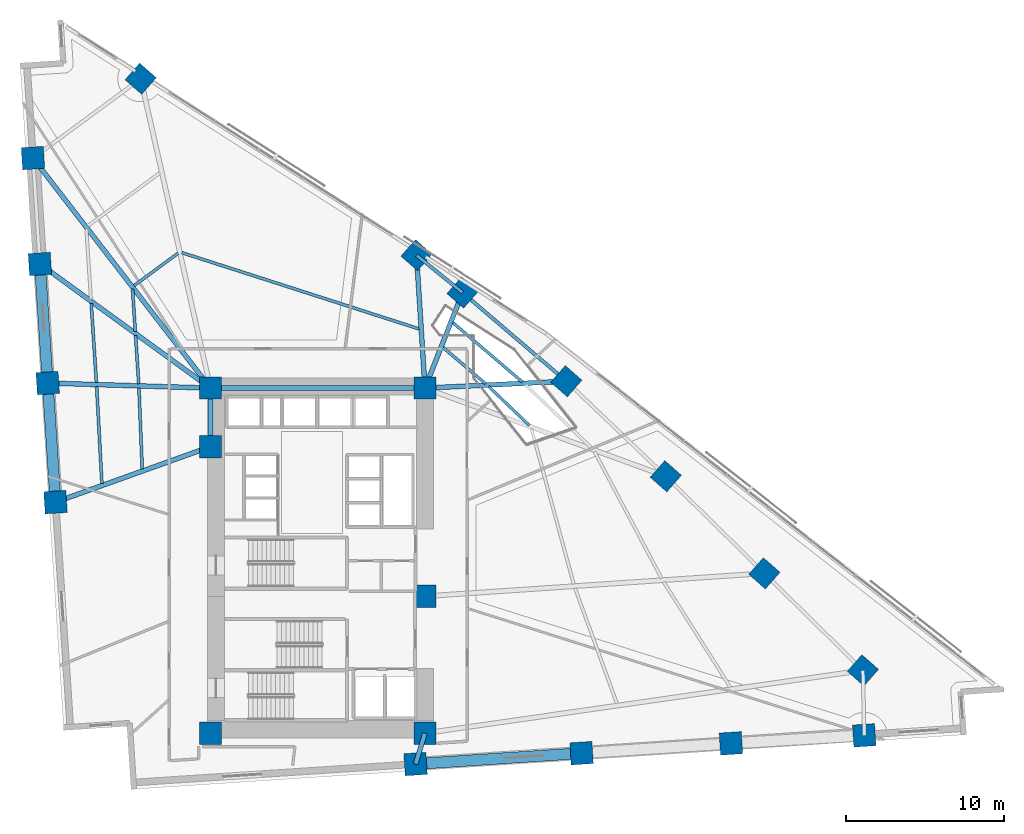
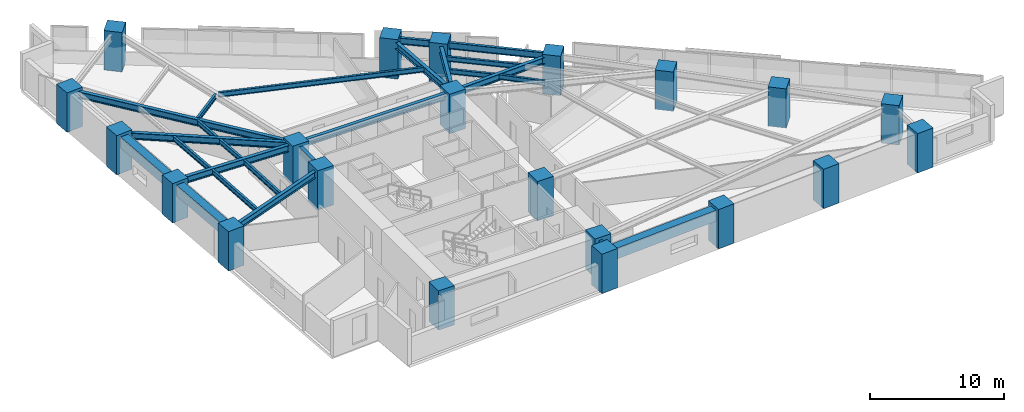
# One storey, part 1 of 16: 25 beams, 21 columns.
"""IFC4 building model written with IfcOpenShell, lengths in metres."""

from ifc_helpers import new_model, si_unit, direction, frame, origin, origin_2d, place, context, subcontext, project, spatial, rectangle, i_section, extrude, material, material_profile, profile_set, type_object, element, save


model = new_model("IFC4")

# Units and contexts
model_context = context("Model", 3, precision=1e-05, world=origin(), true_north=direction((0.0, 1.0)))
body_context = subcontext(model_context, "Body", "Model", "MODEL_VIEW")
ifc_project = project(units=[si_unit("LENGTHUNIT", "METRE"), si_unit("AREAUNIT", "SQUARE_METRE"), si_unit("VOLUMEUNIT", "CUBIC_METRE"), si_unit("PLANEANGLEUNIT", "RADIAN"), si_unit("MASSUNIT", "GRAM", prefix="KILO")], contexts=[model_context])

# Site, building, storey
site_placement = place(None, origin())
site = spatial("IfcSite", under=ifc_project, at=site_placement, CompositionType="ELEMENT")
building_placement = place(site_placement, origin())
building = spatial("IfcBuilding", under=site, at=building_placement, Name="Narakoshi Arena Tower", CompositionType="ELEMENT")
storey_placement = place(building_placement, frame((0.0, 0.0, 77.699951171875)))
storey = spatial("IfcBuildingStorey", under=building, at=storey_placement, Name="L20", CompositionType="ELEMENT", Elevation=77.699951171875)

# Columns
ifc_material_1 = material(Name="Concrete C60/75", Category="concrete")
ifc_material_profile_1 = material_profile(ifc_material_1, rectangle(XDim=1.39990234375, YDim=1.39990234375, at=origin_2d()), Name="RC1400x1400")
ifc_profile_set_1 = profile_set([ifc_material_profile_1], Name="Concrete C60/75")
column_type = type_object("IfcColumnType", Name="COL-RC1400", PredefinedType="COLUMN", material=ifc_profile_set_1)
for number, where, z_axis, x_axis, name in (
    (1, (72.0, 34.699951171875, 0.0), (0.0, 0.0, 1.0), (1.0, 0.0, 0.0), "L20 Core Structural Column CC1"),
    (2, (85.550048828125, 34.699951171875, 0.0), (0.0, 0.0, 1.0), (1.0, 0.0, 0.0), "L20 Core Structural Column CC2"),
    (3, (85.550048828125, 43.35009765625, 0.0), (0.0, 0.0, 1.0), (1.0, 0.0, 0.0), "L20 Core Structural Column CC3"),
    (4, (72.0, 52.800048828125, 0.0), (0.0, 0.0, 1.0), (1.0, 0.0, 0.0), "L20 Core Structural Column CC4"),
    (5, (72.0, 56.5, 0.0), (0.0, 0.0, 1.0), (1.0, 0.0, 0.0), "L20 Core Structural Column CC5"),
    (6, (85.550048828125, 56.5, 0.0), (0.0, 0.0, 1.0), (1.0, 0.0, 0.0), "L20 Core Structural Column CC6"),
    (7, (84.95703125, 32.7509765625, 0.0), (0.0, 0.0, 1.0), (0.997858923239, 0.06540312923, 0.0), "L20 Tower Perimeter Column TC01"),
    (8, (95.44189453125, 33.43798828125, 0.0), (0.0, 0.0, 1.0), (0.997858923239, 0.06540312923, 0.0), "L20 Tower Perimeter Column TC02"),
    (9, (104.8779296875, 34.056640625, 0.0), (0.0, 0.0, 1.0), (0.997858923239, 0.06540312923, 0.0), "L20 Tower Perimeter Column TC03"),
    (10, (113.299560546875, 34.5634765625, 0.0), (0.0, 0.0, 1.0), (0.997858923239, 0.06540312923, 0.0), "L20 Tower Perimeter Column TC04"),
    (11, (113.21630859375, 38.669189453125, 0.0), (0.0, 0.0, 1.0), (0.6593458151, 0.751839807479, 0.0), "L20 Tower Perimeter Column TC05"),
    (12, (106.989990234375, 44.800537109375, 0.0), (0.0, 0.0, 1.0), (0.6593458151, 0.751839807479, 0.0), "L20 Tower Perimeter Column TC06"),
    (13, (100.76318359375, 50.931640625, 0.0), (0.0, 0.0, 1.0), (0.6593458151, 0.751839807479, 0.0), "L20 Tower Perimeter Column TC07"),
    (14, (94.47900390625, 56.934814453125, 0.0), (0.0, 0.0, 1.0), (0.6593458151, 0.751839807479, 0.0), "L20 Tower Perimeter Column TC08"),
    (15, (87.922607421875, 62.534423828125, 0.0), (0.0, 0.0, 1.0), (0.6593458151, 0.751839807479, 0.0), "L20 Tower Perimeter Column TC09"),
    (16, (85.0146484375, 64.89794921875, 0.0), (0.0, 0.0, 1.0), (0.6593458151, 0.751839807479, 0.0), "L20 Tower Perimeter Column TC10"),
    (17, (67.58984375, 76.04345703125, 0.0), (0.0, 0.0, 1.0), (0.6593458151, 0.751839807479, 0.0), "L20 Tower Perimeter Column TC11"),
    (18, (60.785400390625, 71.031005859375, 0.0), (0.0, 0.0, 1.0), (-0.06540312923, 0.997858923239, 0.0), "L20 Tower Perimeter Column TC13"),
    (19, (61.223876953125, 64.343017578125, 0.0), (0.0, 0.0, 1.0), (-0.06540312923, 0.997858923239, 0.0), "L20 Tower Perimeter Column TC14"),
    (20, (61.716796875, 56.819091796875, 0.0), (0.0, 0.0, 1.0), (-0.06540312923, 0.997858923239, 0.0), "L20 Tower Perimeter Column TC15"),
    (21, (62.210205078125, 49.294921875, 0.0), (0.0, 0.0, 1.0), (-0.06540312923, 0.997858923239, 0.0), "L20 Tower Perimeter Column TC16"),
):
    element("IfcColumn", number, at=place(storey_placement, frame(where, z_axis=z_axis, x_axis=x_axis)), inside=storey, type_object=column_type, Name=name, PredefinedType="COLUMN", context=body_context, shape_type="SweptSolid", body=[
        extrude(rectangle(XDim=1.39990234375, YDim=1.39990234375, at=origin_2d()), origin(), (0.0, 0.0, 1.0), 3.60009765625),
    ])

# Beams
ifc_material_profile_2 = material_profile(ifc_material_1, rectangle(XDim=0.699951171875, YDim=1.0, at=origin_2d()), Name="RCB700x1000")
ifc_profile_set_2 = profile_set([ifc_material_profile_2], Name="Concrete C60/75")
beam_type_1 = type_object("IfcBeamType", Name="BM-CPL-1000", PredefinedType="BEAM", material=ifc_profile_set_2)
beam_1_placement = place(storey_placement, frame((84.95703125, 32.7509765625, 2.840087890625), z_axis=(0.997860180992, 0.065383936788, 0.0), x_axis=(-0.065383936788, 0.997860180992, 0.0)))
element("IfcBeam", 22, at=beam_1_placement, inside=storey, type_object=beam_type_1, Name="L20 Perimeter Edge Girder 01", PredefinedType="BEAM", context=body_context, shape_type="SweptSolid", body=[
    extrude(rectangle(XDim=0.699951171875, YDim=1.0, at=origin_2d()), origin(), (0.0, 0.0, 1.0), 10.50732421875),
])
beam_2_placement = place(storey_placement, frame((61.223876953125, 64.343017578125, 2.840087890625), z_axis=(0.065373518191, -0.997860863607, 0.0), x_axis=(0.997860863607, 0.065373518191, 0.0)))
element("IfcBeam", 23, at=beam_2_placement, inside=storey, type_object=beam_type_1, Name="L20 Perimeter Edge Girder 13", PredefinedType="BEAM", context=body_context, shape_type="SweptSolid", body=[
    extrude(rectangle(XDim=0.699951171875, YDim=1.0, at=origin_2d()), origin(), (0.0, 0.0, 1.0), 7.5400390625),
])
beam_3_placement = place(storey_placement, frame((61.716796875, 56.819091796875, 2.840087890625), z_axis=(0.06543588513, -0.997856775764, 0.0), x_axis=(0.997856775764, 0.06543588513, 0.0)))
element("IfcBeam", 24, at=beam_3_placement, inside=storey, type_object=beam_type_1, Name="L20 Perimeter Edge Girder 14", PredefinedType="BEAM", context=body_context, shape_type="SweptSolid", body=[
    extrude(rectangle(XDim=0.699951171875, YDim=1.0, at=origin_2d()), origin(), (0.0, 0.0, 1.0), 7.540283203125),
])
ifc_material_2 = material(Name="Structural steel S355J2", Category="steel")
ifc_material_profile_3 = material_profile(ifc_material_2, i_section(OverallWidth=0.219970703125, OverallDepth=0.60009765625, WebThickness=0.011962890625, FlangeThickness=0.01904296875, FilletRadius=0.02392578125, at=origin_2d()), Name="IPE600")
ifc_profile_set_3 = profile_set([ifc_material_profile_3], Name="Structural steel S355J2")
beam_type_2 = type_object("IfcBeamType", Name="BM-EDGE-600", PredefinedType="BEAM", material=ifc_profile_set_3)
beam_4_placement = place(storey_placement, frame((94.47900390625, 56.934814453125, 3.0400390625), z_axis=(-0.760410675305, 0.649442533934, 0.0), x_axis=(-0.649442533934, -0.760410675305, 0.0)))
element("IfcBeam", 25, at=beam_4_placement, inside=storey, type_object=beam_type_2, Name="L20 Perimeter Edge Girder 08", PredefinedType="BEAM", context=body_context, shape_type="SweptSolid", body=[
    extrude(i_section(OverallWidth=0.219970703125, OverallDepth=0.60009765625, WebThickness=0.011962890625, FlangeThickness=0.01904296875, FilletRadius=0.02392578125, at=origin_2d()), origin(), (0.0, 0.0, 1.0), 8.6220703125),
])
beam_5_placement = place(storey_placement, frame((87.922607421875, 62.534423828125, 3.0400390625), z_axis=(-0.776008368668, 0.630722610786, 0.0), x_axis=(-0.630722610786, -0.776008368668, 0.0)))
element("IfcBeam", 26, at=beam_5_placement, inside=storey, type_object=beam_type_2, Name="L20 Perimeter Edge Girder 09", PredefinedType="BEAM", context=body_context, shape_type="SweptSolid", body=[
    extrude(i_section(OverallWidth=0.219970703125, OverallDepth=0.60009765625, WebThickness=0.011962890625, FlangeThickness=0.01904296875, FilletRadius=0.02392578125, at=origin_2d()), origin(), (0.0, 0.0, 1.0), 3.747314453125),
])
ifc_material_profile_4 = material_profile(ifc_material_2, i_section(OverallWidth=0.300048828125, OverallDepth=0.60009765625, WebThickness=0.015380859375, FlangeThickness=0.030029296875, FilletRadius=0.027099609375, at=origin_2d()), Name="HE600B")
ifc_profile_set_4 = profile_set([ifc_material_profile_4], Name="Structural steel S355J2")
beam_type_3 = type_object("IfcBeamType", Name="BM-PRI-600", PredefinedType="BEAM", material=ifc_profile_set_4)
beam_6_placement = place(storey_placement, frame((85.550048828125, 34.699951171875, 3.0400390625), z_axis=(-0.291094852197, -0.956694197236, 0.0), x_axis=(0.956694197236, -0.291094852197, 0.0)))
element("IfcBeam", 27, at=beam_6_placement, inside=storey, type_object=beam_type_3, Name="L20 Radial Primary Floor Girder 01", PredefinedType="BEAM", context=body_context, shape_type="SweptSolid", body=[
    extrude(i_section(OverallWidth=0.300048828125, OverallDepth=0.60009765625, WebThickness=0.015380859375, FlangeThickness=0.030029296875, FilletRadius=0.027099609375, at=origin_2d()), origin(), (0.0, 0.0, 1.0), 2.037109375),
])
beam_7_placement = place(storey_placement, frame((85.550048828125, 56.5, 3.0400390625), z_axis=(0.998816399631, 0.048639488359, 0.0), x_axis=(-0.048639488359, 0.998816399631, 0.0)))
element("IfcBeam", 28, at=beam_7_placement, inside=storey, type_object=beam_type_3, Name="L20 Radial Primary Floor Girder 08", PredefinedType="BEAM", context=body_context, shape_type="SweptSolid", body=[
    extrude(i_section(OverallWidth=0.300048828125, OverallDepth=0.60009765625, WebThickness=0.015380859375, FlangeThickness=0.030029296875, FilletRadius=0.027099609375, at=origin_2d()), origin(), (0.0, 0.0, 1.0), 8.939453125),
])
beam_8_placement = place(storey_placement, frame((85.550048828125, 56.5, 3.0400390625), z_axis=(0.365905149474, 0.930652148543, 0.0), x_axis=(-0.930652148543, 0.365905149474, 0.0)))
element("IfcBeam", 29, at=beam_8_placement, inside=storey, type_object=beam_type_3, Name="L20 Radial Primary Floor Girder 09", PredefinedType="BEAM", context=body_context, shape_type="SweptSolid", body=[
    extrude(i_section(OverallWidth=0.300048828125, OverallDepth=0.60009765625, WebThickness=0.015380859375, FlangeThickness=0.030029296875, FilletRadius=0.027099609375, at=origin_2d()), origin(), (0.0, 0.0, 1.0), 6.484130859375),
])
beam_9_placement = place(storey_placement, frame((85.550048828125, 56.5, 3.0400390625), z_axis=(-0.063624535653, 0.997973906704, 0.0), x_axis=(-0.997973906704, -0.063624535653, 0.0)))
element("IfcBeam", 30, at=beam_9_placement, inside=storey, type_object=beam_type_3, Name="L20 Radial Primary Floor Girder 10", PredefinedType="BEAM", context=body_context, shape_type="SweptSolid", body=[
    extrude(i_section(OverallWidth=0.300048828125, OverallDepth=0.60009765625, WebThickness=0.015380859375, FlangeThickness=0.030029296875, FilletRadius=0.027099609375, at=origin_2d()), origin(), (0.0, 0.0, 1.0), 8.4150390625),
])
beam_10_placement = place(storey_placement, frame((72.0, 56.5, 3.0400390625), z_axis=(-0.610973069948, 0.791651380216, 0.0), x_axis=(-0.791651380216, -0.610973069948, 0.0)))
element("IfcBeam", 31, at=beam_10_placement, inside=storey, type_object=beam_type_3, Name="L20 Radial Primary Floor Girder 12", PredefinedType="BEAM", context=body_context, shape_type="SweptSolid", body=[
    extrude(i_section(OverallWidth=0.300048828125, OverallDepth=0.60009765625, WebThickness=0.015380859375, FlangeThickness=0.030029296875, FilletRadius=0.027099609375, at=origin_2d()), origin(), (0.0, 0.0, 1.0), 18.355224609375),
])
beam_11_placement = place(storey_placement, frame((72.0, 56.5, 3.0400390625), z_axis=(-0.808527706159, 0.588458110976, 0.0), x_axis=(-0.588458110976, -0.808527706159, 0.0)))
element("IfcBeam", 32, at=beam_11_placement, inside=storey, type_object=beam_type_3, Name="L20 Radial Primary Floor Girder 13", PredefinedType="BEAM", context=body_context, shape_type="SweptSolid", body=[
    extrude(i_section(OverallWidth=0.300048828125, OverallDepth=0.60009765625, WebThickness=0.015380859375, FlangeThickness=0.030029296875, FilletRadius=0.027099609375, at=origin_2d()), origin(), (0.0, 0.0, 1.0), 13.328125),
])
beam_12_placement = place(storey_placement, frame((72.0, 56.5, 3.0400390625), z_axis=(-0.99951890487, 0.031015460795, 0.0), x_axis=(-0.031015460795, -0.99951890487, 0.0)))
element("IfcBeam", 33, at=beam_12_placement, inside=storey, type_object=beam_type_3, Name="L20 Radial Primary Floor Girder 14", PredefinedType="BEAM", context=body_context, shape_type="SweptSolid", body=[
    extrude(i_section(OverallWidth=0.300048828125, OverallDepth=0.60009765625, WebThickness=0.015380859375, FlangeThickness=0.030029296875, FilletRadius=0.027099609375, at=origin_2d()), origin(), (0.0, 0.0, 1.0), 10.2880859375),
])
beam_13_placement = place(storey_placement, frame((72.0, 52.800048828125, 3.0400390625), z_axis=(-0.941474424124, -0.33708442373, 0.0), x_axis=(0.33708442373, -0.941474424124, 0.0)))
element("IfcBeam", 34, at=beam_13_placement, inside=storey, type_object=beam_type_3, Name="L20 Radial Primary Floor Girder 15", PredefinedType="BEAM", context=body_context, shape_type="SweptSolid", body=[
    extrude(i_section(OverallWidth=0.300048828125, OverallDepth=0.60009765625, WebThickness=0.015380859375, FlangeThickness=0.030029296875, FilletRadius=0.027099609375, at=origin_2d()), origin(), (0.0, 0.0, 1.0), 10.3984375),
])
beam_14_placement = place(storey_placement, frame((72.0, 52.800048828125, 3.0400390625), z_axis=(0.0, 1.0, 0.0), x_axis=(-1.0, 0.0, 0.0)))
element("IfcBeam", 35, at=beam_14_placement, inside=storey, type_object=beam_type_3, Name="L20 Core Perimeter Frame Beam CC4-CC5", PredefinedType="BEAM", context=body_context, shape_type="SweptSolid", body=[
    extrude(i_section(OverallWidth=0.300048828125, OverallDepth=0.60009765625, WebThickness=0.015380859375, FlangeThickness=0.030029296875, FilletRadius=0.027099609375, at=origin_2d()), origin(), (0.0, 0.0, 1.0), 3.699951171875),
])
beam_15_placement = place(storey_placement, frame((72.0, 56.5, 3.0400390625), z_axis=(1.0, 0.0, 0.0), x_axis=(0.0, 1.0, 0.0)))
element("IfcBeam", 36, at=beam_15_placement, inside=storey, type_object=beam_type_3, Name="L20 Core Perimeter Frame Beam CC5-CC6", PredefinedType="BEAM", context=body_context, shape_type="SweptSolid", body=[
    extrude(i_section(OverallWidth=0.300048828125, OverallDepth=0.60009765625, WebThickness=0.015380859375, FlangeThickness=0.030029296875, FilletRadius=0.027099609375, at=origin_2d()), origin(), (0.0, 0.0, 1.0), 13.550048828125),
])
ifc_material_profile_5 = material_profile(ifc_material_2, i_section(OverallWidth=0.18994140625, OverallDepth=0.449951171875, WebThickness=0.009521484375, FlangeThickness=0.0146484375, FilletRadius=0.02099609375, at=origin_2d()), Name="IPE450")
ifc_profile_set_5 = profile_set([ifc_material_profile_5], Name="Structural steel S355J2")
beam_type_4 = type_object("IfcBeamType", Name="BM-SEC-450", PredefinedType="JOIST", material=ifc_profile_set_5)
beam_16_placement = place(storey_placement, frame((92.146240234375, 54.143310546875, 3.114990234375), z_axis=(-0.72313403365, 0.690707730792, 0.0), x_axis=(-0.690707730792, -0.72313403365, 0.0)))
element("IfcBeam", 37, at=beam_16_placement, inside=storey, type_object=beam_type_4, Name="L20 Composite Secondary Floor Joist 05", PredefinedType="JOIST", context=body_context, shape_type="SweptSolid", body=[
    extrude(i_section(OverallWidth=0.18994140625, OverallDepth=0.449951171875, WebThickness=0.009521484375, FlangeThickness=0.0146484375, FilletRadius=0.02099609375, at=origin_2d()), origin(), (0.0, 0.0, 1.0), 3.5537109375),
])
beam_17_placement = place(storey_placement, frame((89.376220703125, 56.77880859375, 3.114990234375), z_axis=(-0.760419295189, 0.649432441062, 0.0), x_axis=(-0.649432441062, -0.760419295189, 0.0)))
element("IfcBeam", 38, at=beam_17_placement, inside=storey, type_object=beam_type_4, Name="L20 Composite Secondary Floor Joist 07", PredefinedType="JOIST", context=body_context, shape_type="SweptSolid", body=[
    extrude(i_section(OverallWidth=0.18994140625, OverallDepth=0.449951171875, WebThickness=0.009521484375, FlangeThickness=0.0146484375, FilletRadius=0.02099609375, at=origin_2d()), origin(), (0.0, 0.0, 1.0), 3.52392578125),
])
beam_18_placement = place(storey_placement, frame((91.69775390625, 56.89208984375, 3.114990234375), z_axis=(-0.760418113972, 0.649433824145, 0.0), x_axis=(-0.649433824145, -0.760418113972, 0.0)))
element("IfcBeam", 39, at=beam_18_placement, inside=storey, type_object=beam_type_4, Name="L20 Composite Secondary Floor Joist 08", PredefinedType="JOIST", context=body_context, shape_type="SweptSolid", body=[
    extrude(i_section(OverallWidth=0.18994140625, OverallDepth=0.449951171875, WebThickness=0.009521484375, FlangeThickness=0.0146484375, FilletRadius=0.02099609375, at=origin_2d()), origin(), (0.0, 0.0, 1.0), 5.765625),
])
beam_19_placement = place(storey_placement, frame((85.185791015625, 60.236328125, 3.114990234375), z_axis=(-0.952013564506, 0.306055833137, 0.0), x_axis=(-0.306055833137, -0.952013564506, 0.0)))
element("IfcBeam", 40, at=beam_19_placement, inside=storey, type_object=beam_type_4, Name="L20 Composite Secondary Floor Joist 09", PredefinedType="JOIST", context=body_context, shape_type="SweptSolid", body=[
    extrude(i_section(OverallWidth=0.18994140625, OverallDepth=0.449951171875, WebThickness=0.009521484375, FlangeThickness=0.0146484375, FilletRadius=0.02099609375, at=origin_2d()), origin(), (0.0, 0.0, 1.0), 15.753662109375),
])
beam_20_placement = place(storey_placement, frame((69.950927734375, 65.01904296875, 3.114990234375), z_axis=(-0.805127005692, -0.593102440314, 0.0), x_axis=(0.593102440314, -0.805127005692, 0.0)))
element("IfcBeam", 41, at=beam_20_placement, inside=storey, type_object=beam_type_4, Name="L20 Composite Secondary Floor Joist 10", PredefinedType="JOIST", context=body_context, shape_type="SweptSolid", body=[
    extrude(i_section(OverallWidth=0.18994140625, OverallDepth=0.449951171875, WebThickness=0.009521484375, FlangeThickness=0.0146484375, FilletRadius=0.02099609375, at=origin_2d()), origin(), (0.0, 0.0, 1.0), 3.44873046875),
])
beam_21_placement = place(storey_placement, frame((67.074462890625, 62.7587890625, 3.114990234375), z_axis=(0.065345470492, -0.997862700719, 0.0), x_axis=(0.997862700719, 0.065345470492, 0.0)))
element("IfcBeam", 42, at=beam_21_placement, inside=storey, type_object=beam_type_4, Name="L20 Composite Secondary Floor Joist 12", PredefinedType="JOIST", context=body_context, shape_type="SweptSolid", body=[
    extrude(i_section(OverallWidth=0.18994140625, OverallDepth=0.449951171875, WebThickness=0.009521484375, FlangeThickness=0.0146484375, FilletRadius=0.02099609375, at=origin_2d()), origin(), (0.0, 0.0, 1.0), 2.6787109375),
])
beam_22_placement = place(storey_placement, frame((67.267333984375, 59.816162109375, 3.114990234375), z_axis=(0.065370474263, -0.997861063022, 0.0), x_axis=(0.997861063022, 0.065370474263, 0.0)))
element("IfcBeam", 43, at=beam_22_placement, inside=storey, type_object=beam_type_4, Name="L20 Composite Secondary Floor Joist 14", PredefinedType="JOIST", context=body_context, shape_type="SweptSolid", body=[
    extrude(i_section(OverallWidth=0.18994140625, OverallDepth=0.449951171875, WebThickness=0.009521484375, FlangeThickness=0.0146484375, FilletRadius=0.02099609375, at=origin_2d()), origin(), (0.0, 0.0, 1.0), 3.047607421875),
])
beam_23_placement = place(storey_placement, frame((64.465576171875, 61.85546875, 3.114990234375), z_axis=(0.065370380739, -0.997861069148, 0.0), x_axis=(0.997861069148, 0.065370380739, 0.0)))
element("IfcBeam", 44, at=beam_23_placement, inside=storey, type_object=beam_type_4, Name="L20 Composite Secondary Floor Joist 15", PredefinedType="JOIST", context=body_context, shape_type="SweptSolid", body=[
    extrude(i_section(OverallWidth=0.18994140625, OverallDepth=0.449951171875, WebThickness=0.009521484375, FlangeThickness=0.0146484375, FilletRadius=0.02099609375, at=origin_2d()), origin(), (0.0, 0.0, 1.0), 5.00830078125),
])
beam_24_placement = place(storey_placement, frame((67.48095703125, 56.505615234375, 3.114990234375), z_axis=(0.04026717626, -0.999188948356, 0.0), x_axis=(0.999188948356, 0.04026717626, 0.0)))
element("IfcBeam", 45, at=beam_24_placement, inside=storey, type_object=beam_type_4, Name="L20 Composite Secondary Floor Joist 16", PredefinedType="JOIST", context=body_context, shape_type="SweptSolid", body=[
    extrude(i_section(OverallWidth=0.18994140625, OverallDepth=0.449951171875, WebThickness=0.009521484375, FlangeThickness=0.0146484375, FilletRadius=0.02099609375, at=origin_2d()), origin(), (0.0, 0.0, 1.0), 5.1171875),
])
beam_25_placement = place(storey_placement, frame((64.80908203125, 56.58837890625, 3.114990234375), z_axis=(0.05408820703, -0.998536161519, 0.0), x_axis=(0.998536161519, 0.05408820703, 0.0)))
element("IfcBeam", 46, at=beam_25_placement, inside=storey, type_object=beam_type_4, Name="L20 Composite Secondary Floor Joist 17", PredefinedType="JOIST", context=body_context, shape_type="SweptSolid", body=[
    extrude(i_section(OverallWidth=0.18994140625, OverallDepth=0.449951171875, WebThickness=0.009521484375, FlangeThickness=0.0146484375, FilletRadius=0.02099609375, at=origin_2d()), origin(), (0.0, 0.0, 1.0), 6.1162109375),
])

save(model, "model.ifc")
